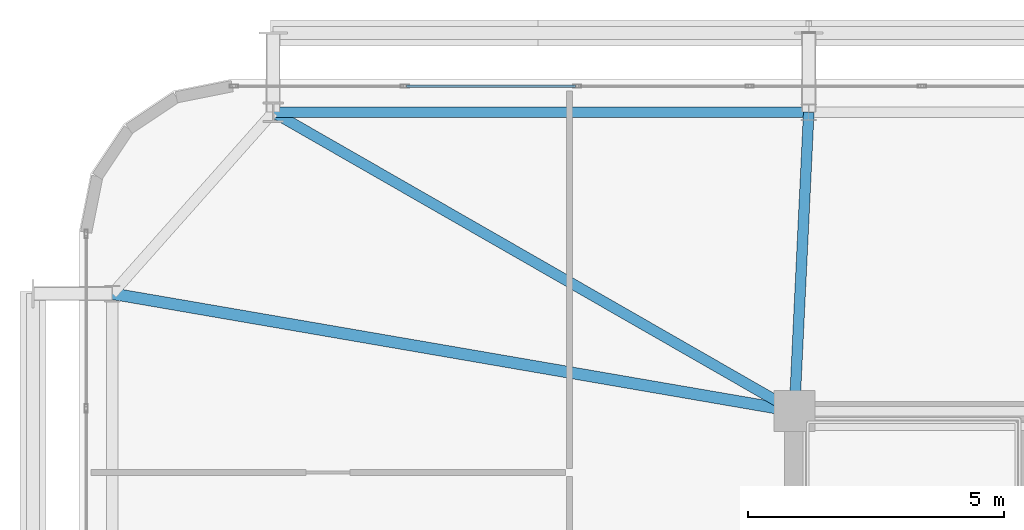
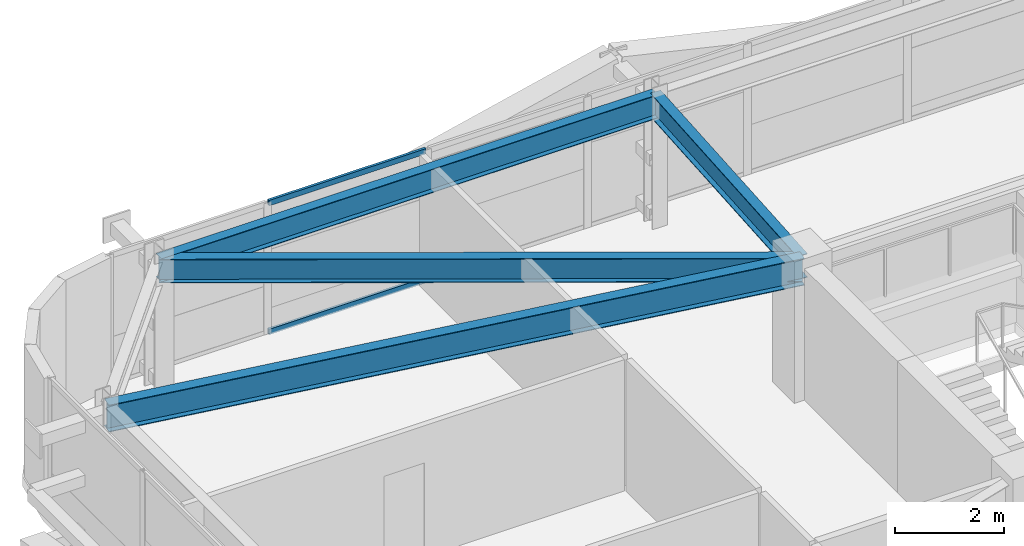
# One storey, part 34 of 58: 4 beams, 2 members, 1 element without a shape of its own.
"""IFC4 building model written with IfcOpenShell, lengths in metres."""

from ifc_helpers import new_model, si_unit, direction, frame, origin, origin_2d, place, context, subcontext, project, spatial, hollow_rectangle, i_section, extrude, source, transform, mapped, material, layer, layer_set, material_profile, profile_set, type_object, element, aggregate, save


model = new_model("IFC4")

# Units and contexts
model_context = context("Model", 3, precision=1e-05, world=origin(), true_north=direction((0.0, 1.0)))
body_context = subcontext(model_context, "Body", "Model", "MODEL_VIEW")
ifc_project = project(units=[si_unit("LENGTHUNIT", "METRE"), si_unit("AREAUNIT", "SQUARE_METRE"), si_unit("VOLUMEUNIT", "CUBIC_METRE"), si_unit("PLANEANGLEUNIT", "RADIAN"), si_unit("MASSUNIT", "GRAM", prefix="KILO")], contexts=[model_context])

# Site, building, storey
site_placement = place(None, origin())
site = spatial("IfcSite", under=ifc_project, at=site_placement, CompositionType="ELEMENT")
building_placement = place(site_placement, origin())
building = spatial("IfcBuilding", under=site, at=building_placement, Name="Taldren Reach Tower", CompositionType="ELEMENT")
storey_placement = place(building_placement, frame((0.0, 0.0, 35.699951171875)))
storey = spatial("IfcBuildingStorey", under=building, at=storey_placement, Name="L10", CompositionType="ELEMENT", Elevation=35.699951171875)

# Beams
ifc_material_1 = material(Name="Steel Gr 350 (350PLUS)", Category="steel")
ifc_material_profile_1 = material_profile(ifc_material_1, i_section(OverallWidth=0.208984375, OverallDepth=0.528076171875, WebThickness=0.009521484375, FlangeThickness=0.01318359375, at=origin_2d()), Name="530UB82.0")
ifc_profile_set_1 = profile_set([ifc_material_profile_1], Name="Steel Gr 350 (350PLUS)")
beam_type_1 = type_object("IfcBeamType", Name="SP-UB530B", PredefinedType="SPANDREL", material=ifc_profile_set_1)
shared_shape_1 = source(origin(), body_context, "Body", "SweptSolid", [
    extrude(i_section(OverallWidth=0.208984375, OverallDepth=0.528076171875, WebThickness=0.009521484375, FlangeThickness=0.01318359375, at=origin_2d()), origin(), (0.0, 0.0, 1.0), 10.47998046875),
])
beam_1_placement = place(storey_placement, frame((19.280029296875, 37.85009765625, 2.666015625), z_axis=(-1.0, 0.0, 0.0), x_axis=(0.0, -1.0, 0.0)))
element("IfcBeam", 1, at=beam_1_placement, inside=storey, type_object=beam_type_1, Name="Perimeter spandrel B1 N2-N1 L10", PredefinedType="SPANDREL", context=body_context, shape_type="MappedRepresentation", body=[
    mapped(shared_shape_1, transform((0.0, 0.0, 0.0), scale=1.0)),
])
ifc_material_profile_2 = material_profile(ifc_material_1, i_section(OverallWidth=0.22802734375, OverallDepth=0.60205078125, WebThickness=0.010498046875, FlangeThickness=0.014892578125, at=origin_2d()), Name="610UB101")
ifc_profile_set_2 = profile_set([ifc_material_profile_2], Name="Steel Gr 350 (350PLUS)")
beam_type_2 = type_object("IfcBeamType", Name="BM-UB610B", PredefinedType="BEAM", material=ifc_profile_set_2)
shared_shape_2 = source(origin(), body_context, "Body", "SweptSolid", [
    extrude(i_section(OverallWidth=0.22802734375, OverallDepth=0.60205078125, WebThickness=0.010498046875, FlangeThickness=0.014892578125, at=origin_2d()), origin(), (0.0, 0.0, 1.0), 13.546875),
])
beam_2_placement = place(storey_placement, frame((19.0, 32.0, 2.629150390625), z_axis=(-0.985481022998, 0.169785609847, 0.0), x_axis=(-0.169785609847, -0.985481022998, 0.0)))
element("IfcBeam", 2, at=beam_2_placement, inside=storey, type_object=beam_type_2, Name="Primary floor girder B1-W3 L10", PredefinedType="BEAM", context=body_context, shape_type="MappedRepresentation", body=[
    mapped(shared_shape_2, transform((0.0, 0.0, 0.0), scale=1.0)),
])
ifc_material_profile_3 = material_profile(ifc_material_1, i_section(OverallWidth=0.208984375, OverallDepth=0.532958984375, WebThickness=0.01025390625, FlangeThickness=0.015625, at=origin_2d()), Name="530UB92.4")
ifc_profile_set_3 = profile_set([ifc_material_profile_3], Name="Steel Gr 350 (350PLUS)")
beam_type_3 = type_object("IfcBeamType", Name="BM-UB530A", PredefinedType="BEAM", material=ifc_profile_set_3)
shared_shape_3 = source(origin(), body_context, "Body", "SweptSolid", [
    extrude(i_section(OverallWidth=0.208984375, OverallDepth=0.532958984375, WebThickness=0.01025390625, FlangeThickness=0.015625, at=origin_2d()), origin(), (0.0, 0.0, 1.0), 11.758544921875),
])
beam_3_placement = place(storey_placement, frame((19.0, 32.0, 2.66357421875), z_axis=(-0.867452414141, 0.497520159593, 0.0), x_axis=(-0.497520159593, -0.867452414141, 0.0)))
element("IfcBeam", 3, at=beam_3_placement, inside=storey, type_object=beam_type_3, Name="Primary floor girder B1-N1 L10", PredefinedType="BEAM", context=body_context, shape_type="MappedRepresentation", body=[
    mapped(shared_shape_3, transform((0.0, 0.0, 0.0), scale=1.0)),
])
shared_shape_4 = source(origin(), body_context, "Body", "SweptSolid", [
    extrude(i_section(OverallWidth=0.208984375, OverallDepth=0.532958984375, WebThickness=0.01025390625, FlangeThickness=0.015625, at=origin_2d()), origin(), (0.0, 0.0, 1.0), 5.856689453125),
])
beam_4_placement = place(storey_placement, frame((19.0, 32.0, 2.66357421875), z_axis=(0.047812711672, 0.998856318297, 0.0), x_axis=(-0.998856318297, 0.047812711672, 0.0)))
element("IfcBeam", 4, at=beam_4_placement, inside=storey, type_object=beam_type_3, Name="Primary floor girder B1-N2 L10", PredefinedType="BEAM", context=body_context, shape_type="MappedRepresentation", body=[
    mapped(shared_shape_4, transform((0.0, 0.0, 0.0), scale=1.0)),
])

# Curtain wall, members
ifc_material_2 = material(Name="Aluminium and Low-E Glass Unitised System", Category="aluminium")
ifc_layer = layer(ifc_material_2, 0.159912109375)
ifc_layer_set = layer_set([ifc_layer], Name="Aluminium and Low-E Glass Unitised System")
curtain_wall_type = type_object("IfcCurtainWallType", Name="CW-SYS-2", PredefinedType="NOTDEFINED", material=ifc_layer_set)
curtain_wall_placement = place(storey_placement, origin())
curtain_wall = element("IfcCurtainWall", 5, at=curtain_wall_placement, inside=storey, type_object=curtain_wall_type, Name="Unitised curtain wall CW-L10-N", PredefinedType="NOTDEFINED")
ifc_material_3 = material(Name="Anodised Aluminium 6063-T6", Category="aluminium")
ifc_material_profile_4 = material_profile(ifc_material_3, hollow_rectangle(XDim=0.054931640625, YDim=0.1201171875, WallThickness=0.0029296875, at=origin_2d()), Name="ALU-120x55x3RHS")
ifc_profile_set_4 = profile_set([ifc_material_profile_4], Name="Anodised Aluminium 6063-T6")
member_type = type_object("IfcMemberType", Name="CW-TRN-135", PredefinedType="USERDEFINED", material=ifc_profile_set_4)
shared_shape_5 = source(origin(), body_context, "Body", "SweptSolid", [
    extrude(hollow_rectangle(XDim=0.054931640625, YDim=0.1201171875, WallThickness=0.0029296875, at=origin_2d()), origin(), (0.0, 0.0, 1.0), 3.31005859375),
])
member_1_placement = place(storey_placement, frame((14.717529296875, 38.360107421875, 0.027587890625), z_axis=(-1.0, 0.0, 0.0), x_axis=(0.0, -1.0, 0.0)))
member_1 = element("IfcMember", 6, at=member_1_placement, type_object=member_type, Name="CW-2 transom 15.1", ObjectType="TRANSOM", PredefinedType="USERDEFINED", context=body_context, shape_type="MappedRepresentation", body=[
    mapped(shared_shape_5, transform((0.0, 0.0, 0.0), scale=1.0)),
])
member_2_placement = place(storey_placement, frame((14.717529296875, 38.360107421875, 2.902587890625), z_axis=(-1.0, 0.0, 0.0), x_axis=(0.0, -1.0, 0.0)))
member_2 = element("IfcMember", 7, at=member_2_placement, type_object=member_type, Name="CW-2 transom 15.2", ObjectType="TRANSOM", PredefinedType="USERDEFINED", context=body_context, shape_type="MappedRepresentation", body=[
    mapped(shared_shape_5, transform((0.0, 0.0, 0.0), scale=1.0)),
])
aggregate(curtain_wall, [member_1, member_2])

save(model, "model.ifc")
